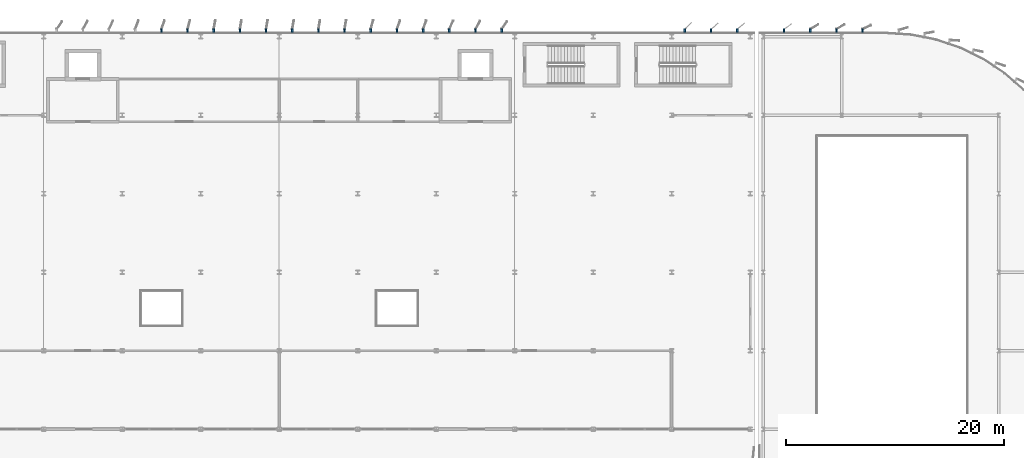
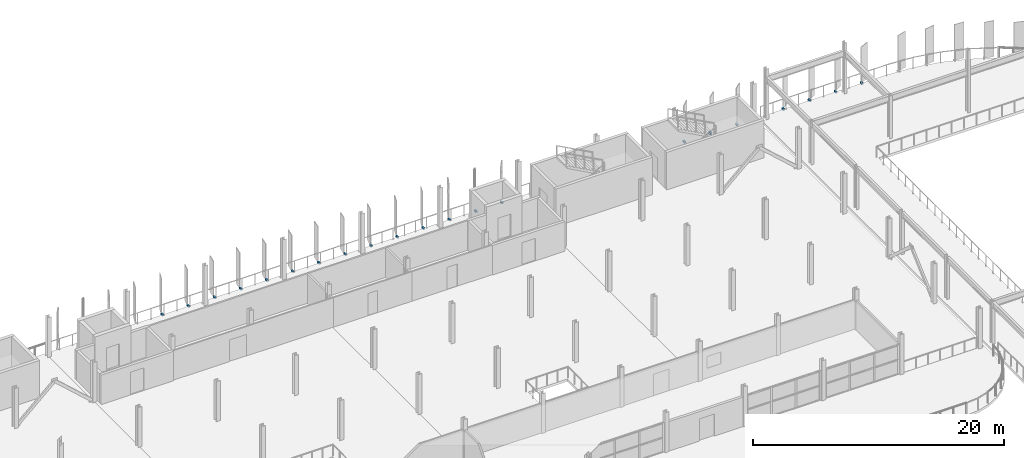
# One storey, part 32 of 40: 21 discrete accessories.
"""IFC4 building model written with IfcOpenShell, lengths in metres."""

import ifcopenshell
import ifcopenshell.guid

model = None  # the IFC model being written
_history = None  # IfcOwnerHistory: only IFC2X3 demands one
_inside = {}  # id of a spatial element -> (the spatial element, [elements in it])
_under = {}  # id of a project, library or spatial element -> (it, [spatial elements below it])
_declared = {}  # id of a project -> (the project, [libraries it declares])
_typed = {}  # id of a type object -> (the type object, [elements of that type])
_made_of = {}  # id of a material, layer set ... -> (it, [elements and type objects made of it])


def new_model(schema):
    """Start an empty IFC model of exactly this schema.

    Asked for "IFC4X3", IfcOpenShell would pick the latest addendum, in which some entities
    have other attributes; the version numbers below select the first issue.
    IFC2X3 requires an IfcOwnerHistory on every rooted entity: one is made here for all.
    """
    global model, _history
    if schema == "IFC4X3":
        model = ifcopenshell.file(schema_version=(4, 3, 0, 0))
    else:
        model = ifcopenshell.file(schema=schema)
    _inside.clear()
    _under.clear()
    _declared.clear()
    _typed.clear()
    _made_of.clear()
    _history = None
    if model.schema == "IFC2X3":
        org = make("IfcOrganization", Name="unknown")
        user = make(
            "IfcPersonAndOrganization",
            ThePerson=make("IfcPerson", FamilyName="unknown"),
            TheOrganization=org,
        )
        app = make(
            "IfcApplication",
            ApplicationDeveloper=org,
            Version="unknown",
            ApplicationFullName="unknown",
            ApplicationIdentifier="unknown",
        )
        _history = make(
            "IfcOwnerHistory",
            OwningUser=user,
            OwningApplication=app,
            ChangeAction="ADDED",
            CreationDate=0,
        )
    return model


def make(cls, **values):
    """One entity of the class cls with the attributes given. An attribute that is None is left unset."""
    return model.create_entity(
        cls, **{name: value for name, value in values.items() if value is not None}
    )


def rooted(cls, **values):
    """An entity with a GlobalId (a new one), such as an element, a storey or a relation."""
    return make(cls, GlobalId=ifcopenshell.guid.new(), OwnerHistory=_history, **values)


def si_unit(unit_type, name, prefix=None):
    """IfcSIUnit, for example si_unit("LENGTHUNIT", "METRE", prefix="MILLI")."""
    return make("IfcSIUnit", UnitType=unit_type, Prefix=prefix, Name=name)


def assignment(units):
    """IfcUnitAssignment: the units of a project."""
    return None if units is None else make("IfcUnitAssignment", Units=units)


def point(xyz):
    """IfcCartesianPoint."""
    return None if xyz is None else make("IfcCartesianPoint", Coordinates=xyz)


def direction(xyz):
    """IfcDirection."""
    return None if xyz is None else make("IfcDirection", DirectionRatios=xyz)


def frame(location, z_axis=None, x_axis=None):
    """IfcAxis2Placement3D, a coordinate frame: its origin and axes. An axis left out is left unset."""
    return make(
        "IfcAxis2Placement3D",
        Location=point(location),
        Axis=direction(z_axis),
        RefDirection=direction(x_axis),
    )


def frame_2d(location, x_axis=None):
    """IfcAxis2Placement2D, a coordinate frame in the plane: its origin and x axis."""
    return make(
        "IfcAxis2Placement2D", Location=point(location), RefDirection=direction(x_axis)
    )


def origin():
    """The frame at (0, 0, 0) with its axes left unset."""
    return frame((0.0, 0.0, 0.0))


def origin_2d():
    """The frame at (0, 0) in the plane with its x axis left unset."""
    return frame_2d((0.0, 0.0))


def place(relative_to, where):
    """IfcLocalPlacement: puts the frame where relative to a parent placement (None: the world)."""
    return make(
        "IfcLocalPlacement", PlacementRelTo=relative_to, RelativePlacement=where
    )


def context(
    kind, dimensions, precision=None, world=None, true_north=None, identifier=None
):
    """IfcGeometricRepresentationContext, for example the 3D "Model" context."""
    return make(
        "IfcGeometricRepresentationContext",
        ContextIdentifier=identifier,
        ContextType=kind,
        CoordinateSpaceDimension=dimensions,
        Precision=precision,
        WorldCoordinateSystem=world,
        TrueNorth=true_north,
    )


def subcontext(parent, identifier, kind, view, scale=None):
    """IfcGeometricRepresentationSubContext, for example "Body" below "Model"."""
    return make(
        "IfcGeometricRepresentationSubContext",
        ContextIdentifier=identifier,
        ContextType=kind,
        ParentContext=parent,
        TargetScale=scale,
        TargetView=view,
    )


def project(units=None, contexts=None):
    """IfcProject with its units and contexts."""
    return rooted(
        "IfcProject",
        Name="project",
        RepresentationContexts=contexts,
        UnitsInContext=assignment(units),
    )


def spatial(cls, under=None, at=None, **own):
    """A site, building, storey or space (cls), placed at a placement, below another one or the project."""
    s = rooted(cls, ObjectPlacement=at, **own)
    if under is not None:
        _under.setdefault(under.id(), (under, []))[1].append(s)
    return s


def profile(cls, at=None, kind="AREA", **sizes):
    """A parametric profile (cls). Its sizes go by their IFC names, for example OverallWidth=200.0."""
    return make(cls, ProfileType=kind, Position=at, **sizes)


def rectangle(**sizes):
    """IfcRectangleProfileDef."""
    return profile("IfcRectangleProfileDef", **sizes)


def extrude(swept, where, along, depth):
    """IfcExtrudedAreaSolid: the profile swept, set in the frame where, extruded along a direction by depth."""
    return make(
        "IfcExtrudedAreaSolid",
        SweptArea=swept,
        Position=where,
        ExtrudedDirection=direction(along),
        Depth=depth,
    )


def shape(context_of_items, identifier, shape_type, items):
    """IfcShapeRepresentation: the items that make up one representation, for example the "Body"."""
    return make(
        "IfcShapeRepresentation",
        ContextOfItems=context_of_items,
        RepresentationIdentifier=identifier,
        RepresentationType=shape_type,
        Items=items,
    )


def material(Name=None, Category=None):
    """IfcMaterial."""
    return make("IfcMaterial", Name=Name, Category=Category)


def made_of(thing, what):
    """Note that an element or type object is made of a material, layer set ...; save() writes the relation."""
    if what is not None:
        _made_of.setdefault(what.id(), (what, []))[1].append(thing)
    return thing


def type_object(cls, material=None, **own):
    """A type object (cls), such as IfcWallType, which elements share."""
    return made_of(rooted(cls, **own), material)


def element(
    cls,
    number,
    at=None,
    inside=None,
    cuts=None,
    type_object=None,
    material=None,
    context=None,
    identifier="Body",
    shape_type=None,
    held_by="IfcProductDefinitionShape",
    body=None,
    shapes=None,
    **own,
):
    """One element of the class cls, such as IfcWall. Its Tag is "e" and its number.

    at: its placement. inside: the storey or other place that contains it. cuts: it is an
    opening in that element (IfcRelVoidsElement). A single representation is given by context,
    identifier, shape_type and body (its items); several are given by shapes. held_by: the class
    of the entity that holds the representations. save() writes the other relations.
    """
    e = rooted(cls, Tag="e%d" % number, ObjectPlacement=at, **own)
    if body is not None:
        shapes = [shape(context, identifier, shape_type, body)]
    if shapes is not None:
        e.Representation = make(held_by, Representations=shapes)
    if inside is not None:
        _inside.setdefault(inside.id(), (inside, []))[1].append(e)
    if cuts is not None:
        rooted(
            "IfcRelVoidsElement", RelatingBuildingElement=cuts, RelatedOpeningElement=e
        )
    if type_object is not None:
        _typed.setdefault(type_object.id(), (type_object, []))[1].append(e)
    return made_of(e, material)


def aggregate(whole, parts):
    """IfcRelAggregates: a whole, such as a stair, and the parts it consists of."""
    return rooted("IfcRelAggregates", RelatingObject=whole, RelatedObjects=parts)


def save(model, path):
    """Write the relations noted so far, then the file.

    IfcRelAggregates (storeys below a building ...), IfcRelContainedInSpatialStructure (elements
    in a storey), IfcRelDefinesByType, IfcRelAssociatesMaterial and IfcRelDeclares: one each for
    every whole, place, type object, material and project.
    """
    for whole, parts in _under.values():
        aggregate(whole, parts)
    for where, things in _inside.values():
        rooted(
            "IfcRelContainedInSpatialStructure",
            RelatedElements=things,
            RelatingStructure=where,
        )
    for kind, things in _typed.values():
        rooted("IfcRelDefinesByType", RelatedObjects=things, RelatingType=kind)
    for what, things in _made_of.values():
        rooted("IfcRelAssociatesMaterial", RelatedObjects=things, RelatingMaterial=what)
    for by, libraries in _declared.values():
        rooted("IfcRelDeclares", RelatingContext=by, RelatedDefinitions=libraries)
    model.write(path)


model = new_model("IFC4")

# Units and contexts
model_context = context("Model", 3, precision=1e-05, world=origin(), true_north=direction((0.0, 1.0)))
body_context = subcontext(model_context, "Body", "Model", "MODEL_VIEW")
ifc_project = project(units=[si_unit("LENGTHUNIT", "METRE"), si_unit("AREAUNIT", "SQUARE_METRE"), si_unit("VOLUMEUNIT", "CUBIC_METRE"), si_unit("PLANEANGLEUNIT", "RADIAN"), si_unit("MASSUNIT", "GRAM", prefix="KILO")], contexts=[model_context])

# Site, building, storey
site_placement = place(None, origin())
site = spatial("IfcSite", under=ifc_project, at=site_placement, CompositionType="ELEMENT")
building_placement = place(site_placement, origin())
building = spatial("IfcBuilding", under=site, at=building_placement, Name="Vaelcorin Mobility Hub", CompositionType="ELEMENT")
storey_placement = place(building_placement, frame((0.0, 0.0, 17.10009765625)))
storey = spatial("IfcBuildingStorey", under=building, at=storey_placement, Name="L04", CompositionType="ELEMENT", Elevation=17.10009765625)

# Discrete accessories
ifc_material = material(Name="Galvanised structural steel ASTM A36", Category="steel")
discrete_accessory_type = type_object("IfcDiscreteAccessoryType", Name="ACC-BRK-FIN", PredefinedType="BRACKET", material=ifc_material)
for number, where, z_axis, x_axis, name in (
    (1, (68.39990234375, 120.570068359375, -0.16015625), (0.0, 0.0, 1.0), (0.0, 1.0, 0.0), "Aerofoil Outrigger Bracket FIN-V4-L04-N-05-BK-02"),
    (2, (70.800048828125, 120.570068359375, -0.16015625), (0.0, 0.0, 1.0), (0.0, 1.0, 0.0), "Aerofoil Outrigger Bracket FIN-V4-L04-N-05-BK-03"),
    (3, (73.199951171875, 120.570068359375, -0.16015625), (0.0, 0.0, 1.0), (0.0, 1.0, 0.0), "Aerofoil Outrigger Bracket FIN-V4-L04-N-06-BK-01"),
    (4, (75.60009765625, 120.570068359375, -0.16015625), (0.0, 0.0, 1.0), (0.0, 1.0, 0.0), "Aerofoil Outrigger Bracket FIN-V4-L04-N-06-BK-02"),
    (5, (78.0, 120.570068359375, -0.16015625), (0.0, 0.0, 1.0), (0.0, 1.0, 0.0), "Aerofoil Outrigger Bracket FIN-V4-L04-N-06-BK-03"),
    (6, (80.39990234375, 120.570068359375, -0.16015625), (0.0, 0.0, 1.0), (0.0, 1.0, 0.0), "Aerofoil Outrigger Bracket FIN-V4-L04-N-07-BK-01"),
    (7, (82.800048828125, 120.570068359375, -0.16015625), (0.0, 0.0, 1.0), (0.0, 1.0, 0.0), "Aerofoil Outrigger Bracket FIN-V4-L04-N-07-BK-02"),
    (8, (85.199951171875, 120.570068359375, -0.16015625), (0.0, 0.0, 1.0), (0.0, 1.0, 0.0), "Aerofoil Outrigger Bracket FIN-V4-L04-N-07-BK-03"),
    (9, (87.60009765625, 120.570068359375, -0.16015625), (0.0, 0.0, 1.0), (0.0, 1.0, 0.0), "Aerofoil Outrigger Bracket FIN-V4-L04-N-08-BK-01"),
    (10, (90.0, 120.570068359375, -0.16015625), (0.0, 0.0, 1.0), (0.0, 1.0, 0.0), "Aerofoil Outrigger Bracket FIN-V4-L04-N-08-BK-02"),
    (11, (92.39990234375, 120.570068359375, -0.16015625), (0.0, 0.0, 1.0), (0.0, 1.0, 0.0), "Aerofoil Outrigger Bracket FIN-V4-L04-N-08-BK-03"),
    (12, (94.800048828125, 120.570068359375, -0.16015625), (0.0, 0.0, 1.0), (0.0, 1.0, 0.0), "Aerofoil Outrigger Bracket FIN-V4-L04-N-09-BK-01"),
    (13, (97.199951171875, 120.570068359375, -0.16015625), (0.0, 0.0, 1.0), (0.0, 1.0, 0.0), "Aerofoil Outrigger Bracket FIN-V4-L04-N-09-BK-02"),
    (14, (99.60009765625, 120.570068359375, -0.16015625), (0.0, 0.0, 1.0), (0.0, 1.0, 0.0), "Aerofoil Outrigger Bracket FIN-V4-L04-N-09-BK-03"),
    (15, (116.39990234375, 120.570068359375, -0.16015625), (0.0, 0.0, 1.0), (0.0, 1.0, 0.0), "Aerofoil Outrigger Bracket FIN-V4-L04-N-12-BK-01"),
    (16, (118.800048828125, 120.570068359375, -0.16015625), (0.0, 0.0, 1.0), (0.0, 1.0, 0.0), "Aerofoil Outrigger Bracket FIN-V4-L04-N-12-BK-02"),
    (17, (121.199951171875, 120.570068359375, -0.16015625), (0.0, 0.0, 1.0), (0.0, 1.0, 0.0), "Aerofoil Outrigger Bracket FIN-V4-L04-N-12-BK-03"),
    (18, (125.5, 120.570068359375, -0.16015625), (0.0, 0.0, 1.0), (0.0, 1.0, 0.0), "Aerofoil Outrigger Bracket FIN-V2E-L04-N-BK-01"),
    (19, (127.89990234375, 120.570068359375, -0.16015625), (0.0, 0.0, 1.0), (0.0, 1.0, 0.0), "Aerofoil Outrigger Bracket FIN-V2E-L04-N-BK-02"),
    (20, (130.300048828125, 120.570068359375, -0.16015625), (0.0, 0.0, 1.0), (0.0, 1.0, 0.0), "Aerofoil Outrigger Bracket FIN-V2E-L04-N-BK-03"),
    (21, (132.699951171875, 120.570068359375, -0.16015625), (0.0, 0.0, 1.0), (0.0, 1.0, 0.0), "Aerofoil Outrigger Bracket FIN-V2E-L04-N-BK-04"),
):
    element("IfcDiscreteAccessory", number, at=place(storey_placement, frame(where, z_axis=z_axis, x_axis=x_axis)), inside=storey, type_object=discrete_accessory_type, Name=name, PredefinedType="BRACKET", context=body_context, shape_type="SweptSolid", body=[
        extrude(rectangle(XDim=0.280029296875, YDim=0.159912109375, at=origin_2d()), origin(), (0.0, 0.0, 1.0), 0.159912109375),
    ])

save(model, "model.ifc")
